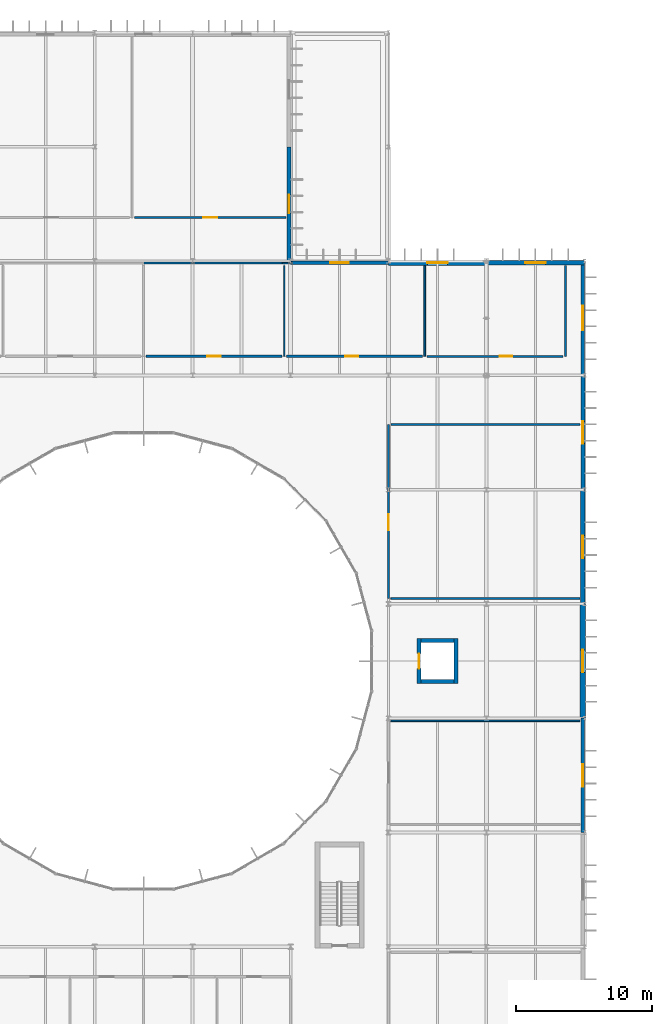
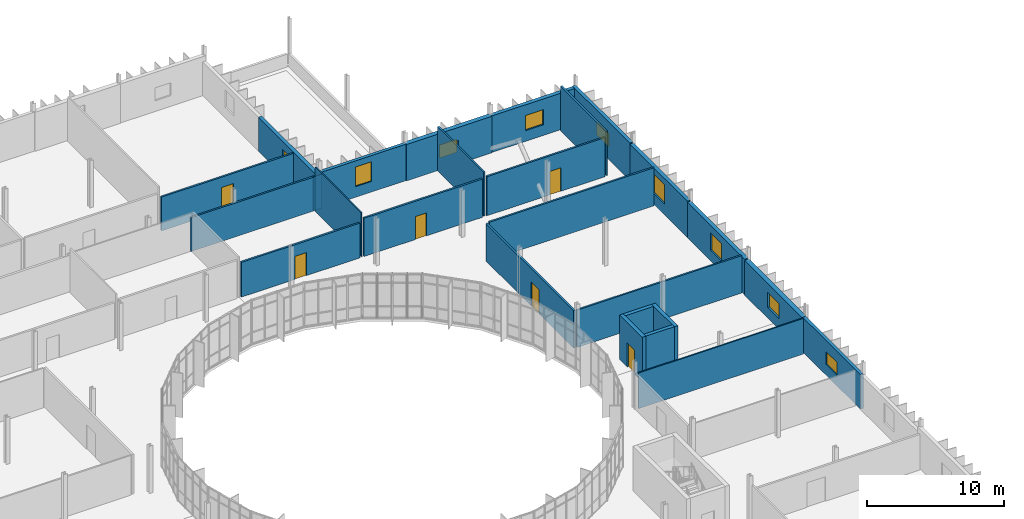
# One storey, part 101 of 119: 26 walls, 9 windows, 6 doors, 15 openings.
"""IFC4 building model written with IfcOpenShell, lengths in metres."""

from ifc_helpers import new_model, si_unit, direction, frame, frame_2d, origin, place, context, subcontext, project, spatial, rectangle, extrude, material, layer, layer_set, type_object, element, fill, save


model = new_model("IFC4")

# Units and contexts
model_context = context("Model", 3, precision=1e-05, world=origin(), true_north=direction((0.0, 1.0)))
body_context = subcontext(model_context, "Body", "Model", "MODEL_VIEW")
ifc_project = project(units=[si_unit("LENGTHUNIT", "METRE"), si_unit("AREAUNIT", "SQUARE_METRE"), si_unit("VOLUMEUNIT", "CUBIC_METRE"), si_unit("PLANEANGLEUNIT", "RADIAN"), si_unit("MASSUNIT", "GRAM", prefix="KILO")], contexts=[model_context])

# Site, building, storey
site_placement = place(None, origin())
site = spatial("IfcSite", under=ifc_project, at=site_placement, CompositionType="ELEMENT")
building_placement = place(site_placement, origin())
building = spatial("IfcBuilding", under=site, at=building_placement, Name="Qelthora Terrace Specialist Clinic", CompositionType="ELEMENT")
storey_placement = place(building_placement, frame((0.0, 0.0, 4.800048828125)))
storey = spatial("IfcBuildingStorey", under=building, at=storey_placement, Name="L01", CompositionType="ELEMENT", Elevation=4.800048828125)

# Wall, opening, door
ifc_material_1 = material(Name="Concrete C40/50", Category="concrete")
ifc_layer_1 = layer(ifc_material_1, 0.300048828125)
ifc_layer_set_1 = layer_set([ifc_layer_1], Name="Concrete C40/50")
wall_type_1 = type_object("IfcWallType", Name="WAL-CORE-300-C40", PredefinedType="SHEAR", material=ifc_layer_set_1)
wall_1_placement = place(storey_placement, frame((146.25, 61.35009765625, 0.0), z_axis=(0.0, 0.0, 1.0), x_axis=(0.0, 1.0, 0.0)))
wall_1 = element("IfcWall", 1, at=wall_1_placement, inside=storey, type_object=wall_type_1, Name="Lift PL-02 L01 west shaft wall", PredefinedType="SHEAR", context=body_context, shape_type="SweptSolid", body=[
    extrude(rectangle(XDim=3.2998046875, YDim=0.300048828125, at=frame_2d((1.64990234375, 0.0))), origin(), (0.0, 0.0, 1.0), 3.97998046875),
])
opening_1_placement = place(wall_1_placement, frame((1.10009765625, 0.0, 0.0)))
opening_1 = element("IfcOpeningElement", 2, at=opening_1_placement, cuts=wall_1, Name="Opening LD-PL-02-L01", PredefinedType="OPENING", context=body_context, shape_type="SweptSolid", body=[
    extrude(rectangle(XDim=1.10009765625, YDim=2.14990234375, at=frame_2d((0.550048828125, 1.074951171875))), frame((0.0, 0.159912109375, 0.0), z_axis=(0.0, -1.0, 0.0), x_axis=(1.0, 0.0, 0.0)), (0.0, 0.0, 1.0), 0.320068359375),
])
ifc_material_2 = material(Name="Steel S355", Category="steel")
door_type_1 = type_object("IfcDoorType", Name="DOR-LIFT-1100X2150", OperationType="NOTDEFINED", PredefinedType="DOOR", material=ifc_material_2)
door_1_placement = place(opening_1_placement, origin())
door_1 = element("IfcDoor", 3, at=door_1_placement, inside=storey, type_object=door_type_1, Name="Lift landing sliding door LD-PL-02-L01", OperationType="DOUBLE_DOOR_SLIDING", OverallHeight=2.14990234375, OverallWidth=1.10009765625, PredefinedType="DOOR", context=body_context, shape_type="SweptSolid", body=[
    extrude(rectangle(XDim=1.10009765625, YDim=2.14990234375, at=frame_2d((0.550048828125, 1.074951171875))), frame((0.0, 0.02490234375, 0.0), z_axis=(0.0, -1.0, 0.0), x_axis=(1.0, 0.0, 0.0)), (0.0, 0.0, 1.0), 0.050048828125),
])
fill(opening_1, door_1)

# Walls
wall_2_placement = place(storey_placement, frame((148.949951171875, 61.35009765625, 0.0), z_axis=(0.0, 0.0, 1.0), x_axis=(0.0, 1.0, 0.0)))
element("IfcWall", 4, at=wall_2_placement, inside=storey, type_object=wall_type_1, Name="Lift PL-02 L01 east shaft wall", PredefinedType="SHEAR", context=body_context, shape_type="SweptSolid", body=[
    extrude(rectangle(XDim=3.2998046875, YDim=0.300048828125, at=frame_2d((1.64990234375, 0.0))), origin(), (0.0, 0.0, 1.0), 3.97998046875),
])
for number, where, z_axis, x_axis, name in (
    (5, (146.39990234375, 64.5, 0.0), (0.0, 0.0, 1.0), (1.0, 0.0, 0.0), "Lift PL-02 L01 north shaft wall"),
    (6, (146.39990234375, 61.5, 0.0), (0.0, 0.0, 1.0), (1.0, 0.0, 0.0), "Lift PL-02 L01 south shaft wall"),
):
    element("IfcWall", number, at=place(storey_placement, frame(where, z_axis=z_axis, x_axis=x_axis)), inside=storey, type_object=wall_type_1, Name=name, PredefinedType="SHEAR", context=body_context, shape_type="SweptSolid", body=[
        extrude(rectangle(XDim=2.400146484375, YDim=0.300048828125, at=frame_2d((1.2001953125, 0.0))), origin(), (0.0, 0.0, 1.0), 3.97998046875),
    ])

# Wall, opening, window
ifc_material_3 = material(Name="Precast concrete C40/50", Category="concrete")
ifc_layer_2 = layer(ifc_material_3, 0.260009765625)
ifc_layer_set_2 = layer_set([ifc_layer_2], Name="Precast concrete C40/50")
wall_type_2 = type_object("IfcWallType", Name="WAL-EXT-260-PC40", PredefinedType="SOLIDWALL", material=ifc_layer_set_2)
wall_3_placement = place(storey_placement, frame((136.800048828125, 92.280029296875, 0.0), z_axis=(0.0, 0.0, 1.0), x_axis=(1.0, 0.0, 0.0)))
wall_3 = element("IfcWall", 7, at=wall_3_placement, inside=storey, type_object=wall_type_2, Name="L01 external precast wall 169", PredefinedType="SOLIDWALL", context=body_context, shape_type="SweptSolid", body=[
    extrude(rectangle(XDim=7.199951171875, YDim=0.260009765625, at=frame_2d((3.60009765625, 0.0))), origin(), (0.0, 0.0, 1.0), 3.2490234375),
])
opening_2_placement = place(wall_3_placement, frame((2.925048828125, 0.0, 0.949951171875)))
opening_2 = element("IfcOpeningElement", 8, at=opening_2_placement, cuts=wall_3, Name="Opening WN-L01-140", PredefinedType="OPENING", context=body_context, shape_type="SweptSolid", body=[
    extrude(rectangle(XDim=1.35009765625, YDim=1.75, at=frame_2d((0.675048828125, 0.875))), frame((0.0, 0.139892578125, 0.0), z_axis=(0.0, -1.0, 0.0), x_axis=(1.0, 0.0, 0.0)), (0.0, 0.0, 1.0), 0.280029296875),
])
ifc_material_4 = material(Name="Low-E triple-silver insulating glass", Category="glass")
window_type_1 = type_object("IfcWindowType", Name="WIN-1350X1750", PartitioningType="SINGLE_PANEL", PredefinedType="WINDOW", material=ifc_material_4)
window_1_placement = place(opening_2_placement, origin())
window_1 = element("IfcWindow", 9, at=window_1_placement, inside=storey, type_object=window_type_1, Name="Clinical window WN-L01-140", OverallHeight=1.75, OverallWidth=1.35009765625, PartitioningType="SINGLE_PANEL", PredefinedType="WINDOW", context=body_context, shape_type="SweptSolid", body=[
    extrude(rectangle(XDim=1.35009765625, YDim=1.75, at=frame_2d((0.675048828125, 0.875))), frame((0.0, 0.030029296875, 0.0), z_axis=(0.0, -1.0, 0.0), x_axis=(1.0, 0.0, 0.0)), (0.0, 0.0, 1.0), 0.06005859375),
])
fill(opening_2, window_1)

wall_4_placement = place(storey_placement, frame((158.280029296875, 50.39990234375, 0.0), z_axis=(0.0, 0.0, 1.0), x_axis=(0.0, 1.0, 0.0)))
wall_4 = element("IfcWall", 10, at=wall_4_placement, inside=storey, type_object=wall_type_2, Name="L01 external precast wall 174", PredefinedType="SOLIDWALL", context=body_context, shape_type="SweptSolid", body=[
    extrude(rectangle(XDim=8.400146484375, YDim=0.260009765625, at=frame_2d((4.2001953125, 0.0))), origin(), (0.0, 0.0, 1.0), 3.091064453125),
])
opening_3_placement = place(wall_4_placement, frame((3.375, 0.0, 0.949951171875)))
opening_3 = element("IfcOpeningElement", 11, at=opening_3_placement, cuts=wall_4, Name="Opening WN-L01-145", PredefinedType="OPENING", context=body_context, shape_type="SweptSolid", body=[
    extrude(rectangle(XDim=1.64990234375, YDim=1.14990234375, at=frame_2d((0.824951171875, 0.574951171875))), frame((0.0, 0.139892578125, 0.0), z_axis=(0.0, -1.0, 0.0), x_axis=(1.0, 0.0, 0.0)), (0.0, 0.0, 1.0), 0.280029296875),
])
window_type_2 = type_object("IfcWindowType", Name="WIN-1650X1150", PartitioningType="DOUBLE_PANEL_VERTICAL", PredefinedType="WINDOW", material=ifc_material_4)
window_2_placement = place(opening_3_placement, origin())
window_2 = element("IfcWindow", 12, at=window_2_placement, inside=storey, type_object=window_type_2, Name="Clinical window WN-L01-145", OverallHeight=1.14990234375, OverallWidth=1.64990234375, PartitioningType="SINGLE_PANEL", PredefinedType="WINDOW", context=body_context, shape_type="SweptSolid", body=[
    extrude(rectangle(XDim=1.64990234375, YDim=1.14990234375, at=frame_2d((0.824951171875, 0.574951171875))), frame((0.0, 0.030029296875, 0.0), z_axis=(0.0, -1.0, 0.0), x_axis=(1.0, 0.0, 0.0)), (0.0, 0.0, 1.0), 0.06005859375),
])
fill(opening_3, window_2)

ifc_layer_3 = layer(ifc_material_3, 0.280029296875)
ifc_layer_set_3 = layer_set([ifc_layer_3], Name="Precast concrete C40/50")
wall_type_3 = type_object("IfcWallType", Name="WAL-EXT-280-PC40", PredefinedType="SOLIDWALL", material=ifc_layer_set_3)
wall_5_placement = place(storey_placement, frame((158.280029296875, 84.0, 0.0), z_axis=(0.0, 0.0, 1.0), x_axis=(0.0, 1.0, 0.0)))
wall_5 = element("IfcWall", 13, at=wall_5_placement, inside=storey, type_object=wall_type_3, Name="L01 external precast wall 178", PredefinedType="SOLIDWALL", context=body_context, shape_type="SweptSolid", body=[
    extrude(rectangle(XDim=8.39990234375, YDim=0.280029296875, at=frame_2d((4.199951171875, 0.0))), origin(), (0.0, 0.0, 1.0), 3.324951171875),
])
opening_4_placement = place(wall_5_placement, frame((3.300048828125, 0.0, 0.949951171875)))
opening_4 = element("IfcOpeningElement", 14, at=opening_4_placement, cuts=wall_5, Name="Opening WN-L01-149", PredefinedType="OPENING", context=body_context, shape_type="SweptSolid", body=[
    extrude(rectangle(XDim=1.800048828125, YDim=1.14990234375, at=frame_2d((0.89990234375, 0.574951171875))), frame((0.0, 0.14990234375, 0.0), z_axis=(0.0, -1.0, 0.0), x_axis=(1.0, 0.0, 0.0)), (0.0, 0.0, 1.0), 0.300048828125),
])
window_type_3 = type_object("IfcWindowType", Name="WIN-1800X1150", PartitioningType="DOUBLE_PANEL_VERTICAL", PredefinedType="WINDOW", material=ifc_material_4)
window_3_placement = place(opening_4_placement, origin())
window_3 = element("IfcWindow", 15, at=window_3_placement, inside=storey, type_object=window_type_3, Name="Clinical window WN-L01-149", OverallHeight=1.14990234375, OverallWidth=1.800048828125, PartitioningType="SINGLE_PANEL", PredefinedType="WINDOW", context=body_context, shape_type="SweptSolid", body=[
    extrude(rectangle(XDim=1.800048828125, YDim=1.14990234375, at=frame_2d((0.89990234375, 0.574951171875))), frame((0.0, 0.030029296875, 0.0), z_axis=(0.0, -1.0, 0.0), x_axis=(1.0, 0.0, 0.0)), (0.0, 0.0, 1.0), 0.06005859375),
])
fill(opening_4, window_3)

ifc_layer_4 = layer(ifc_material_3, 0.300048828125)
ifc_layer_set_4 = layer_set([ifc_layer_4], Name="Precast concrete C40/50")
wall_type_4 = type_object("IfcWallType", Name="WAL-EXT-300-PC40", PredefinedType="SOLIDWALL", material=ifc_layer_set_4)
wall_6_placement = place(storey_placement, frame((136.679931640625, 92.39990234375, 0.0), z_axis=(0.0, 0.0, 1.0), x_axis=(0.0, 1.0, 0.0)))
wall_6 = element("IfcWall", 16, at=wall_6_placement, inside=storey, type_object=wall_type_4, Name="L01 external precast wall 167", PredefinedType="SOLIDWALL", context=body_context, shape_type="SweptSolid", body=[
    extrude(rectangle(XDim=8.400146484375, YDim=0.300048828125, at=frame_2d((4.2001953125, 0.0))), origin(), (0.0, 0.0, 1.0), 3.014892578125),
])
opening_5_placement = place(wall_6_placement, frame((3.52490234375, 0.0, 0.949951171875)))
opening_5 = element("IfcOpeningElement", 17, at=opening_5_placement, cuts=wall_6, Name="Opening WN-L01-138", PredefinedType="OPENING", context=body_context, shape_type="SweptSolid", body=[
    extrude(rectangle(XDim=1.35009765625, YDim=1.35009765625, at=frame_2d((0.675048828125, 0.675048828125))), frame((0.0, 0.159912109375, 0.0), z_axis=(0.0, -1.0, 0.0), x_axis=(1.0, 0.0, 0.0)), (0.0, 0.0, 1.0), 0.320068359375),
])
window_type_4 = type_object("IfcWindowType", Name="WIN-1350X1350", PartitioningType="SINGLE_PANEL", PredefinedType="WINDOW", material=ifc_material_4)
window_4_placement = place(opening_5_placement, origin())
window_4 = element("IfcWindow", 18, at=window_4_placement, inside=storey, type_object=window_type_4, Name="Clinical window WN-L01-138", OverallHeight=1.35009765625, OverallWidth=1.35009765625, PartitioningType="SINGLE_PANEL", PredefinedType="WINDOW", context=body_context, shape_type="SweptSolid", body=[
    extrude(rectangle(XDim=1.35009765625, YDim=1.35009765625, at=frame_2d((0.675048828125, 0.675048828125))), frame((0.0, 0.030029296875, 0.0), z_axis=(0.0, -1.0, 0.0), x_axis=(1.0, 0.0, 0.0)), (0.0, 0.0, 1.0), 0.06005859375),
])
fill(opening_5, window_4)

wall_7_placement = place(storey_placement, frame((158.280029296875, 75.60009765625, 0.0), z_axis=(0.0, 0.0, 1.0), x_axis=(0.0, 1.0, 0.0)))
wall_7 = element("IfcWall", 19, at=wall_7_placement, inside=storey, type_object=wall_type_4, Name="L01 external precast wall 177", PredefinedType="SOLIDWALL", context=body_context, shape_type="SweptSolid", body=[
    extrude(rectangle(XDim=8.39990234375, YDim=0.300048828125, at=frame_2d((4.199951171875, 0.0))), origin(), (0.0, 0.0, 1.0), 3.2490234375),
])
opening_6_placement = place(wall_7_placement, frame((3.375, 0.0, 0.949951171875)))
opening_6 = element("IfcOpeningElement", 20, at=opening_6_placement, cuts=wall_7, Name="Opening WN-L01-148", PredefinedType="OPENING", context=body_context, shape_type="SweptSolid", body=[
    extrude(rectangle(XDim=1.64990234375, YDim=1.75, at=frame_2d((0.824951171875, 0.875))), frame((0.0, 0.159912109375, 0.0), z_axis=(0.0, -1.0, 0.0), x_axis=(1.0, 0.0, 0.0)), (0.0, 0.0, 1.0), 0.320068359375),
])
window_type_5 = type_object("IfcWindowType", Name="WIN-1650X1750", PartitioningType="DOUBLE_PANEL_VERTICAL", PredefinedType="WINDOW", material=ifc_material_4)
window_5_placement = place(opening_6_placement, origin())
window_5 = element("IfcWindow", 21, at=window_5_placement, inside=storey, type_object=window_type_5, Name="Clinical window WN-L01-148", OverallHeight=1.75, OverallWidth=1.64990234375, PartitioningType="SINGLE_PANEL", PredefinedType="WINDOW", context=body_context, shape_type="SweptSolid", body=[
    extrude(rectangle(XDim=1.64990234375, YDim=1.75, at=frame_2d((0.824951171875, 0.875))), frame((0.0, 0.030029296875, 0.0), z_axis=(0.0, -1.0, 0.0), x_axis=(1.0, 0.0, 0.0)), (0.0, 0.0, 1.0), 0.06005859375),
])
fill(opening_6, window_5)

ifc_layer_5 = layer(ifc_material_3, 0.320068359375)
ifc_layer_set_5 = layer_set([ifc_layer_5], Name="Precast concrete C40/50")
wall_type_5 = type_object("IfcWallType", Name="WAL-EXT-320-PC40", PredefinedType="SOLIDWALL", material=ifc_layer_set_5)
wall_8_placement = place(storey_placement, frame((151.199951171875, 92.280029296875, 0.0), z_axis=(0.0, 0.0, 1.0), x_axis=(1.0, 0.0, 0.0)))
wall_8 = element("IfcWall", 22, at=wall_8_placement, inside=storey, type_object=wall_type_5, Name="L01 external precast wall 171", PredefinedType="SOLIDWALL", context=body_context, shape_type="SweptSolid", body=[
    extrude(rectangle(XDim=7.199951171875, YDim=0.320068359375, at=frame_2d((3.60009765625, 0.0))), origin(), (0.0, 0.0, 1.0), 3.25390625),
])
opening_7_placement = place(wall_8_placement, frame((2.85009765625, 0.0, 0.949951171875)))
opening_7 = element("IfcOpeningElement", 23, at=opening_7_placement, cuts=wall_8, Name="Opening WN-L01-142", PredefinedType="OPENING", context=body_context, shape_type="SweptSolid", body=[
    extrude(rectangle(XDim=1.5, YDim=1.35009765625, at=frame_2d((0.75, 0.675048828125))), frame((0.0, 0.169921875, 0.0), z_axis=(0.0, -1.0, 0.0), x_axis=(1.0, 0.0, 0.0)), (0.0, 0.0, 1.0), 0.340087890625),
])
window_type_6 = type_object("IfcWindowType", Name="WIN-1500X1350", PartitioningType="SINGLE_PANEL", PredefinedType="WINDOW", material=ifc_material_4)
window_6_placement = place(opening_7_placement, origin())
window_6 = element("IfcWindow", 24, at=window_6_placement, inside=storey, type_object=window_type_6, Name="Clinical window WN-L01-142", OverallHeight=1.35009765625, OverallWidth=1.5, PartitioningType="SINGLE_PANEL", PredefinedType="WINDOW", context=body_context, shape_type="SweptSolid", body=[
    extrude(rectangle(XDim=1.5, YDim=1.35009765625, at=frame_2d((0.75, 0.675048828125))), frame((0.0, 0.030029296875, 0.0), z_axis=(0.0, -1.0, 0.0), x_axis=(1.0, 0.0, 0.0)), (0.0, 0.0, 1.0), 0.06005859375),
])
fill(opening_7, window_6)

wall_9_placement = place(storey_placement, frame((158.280029296875, 67.199951171875, 0.0), z_axis=(0.0, 0.0, 1.0), x_axis=(0.0, 1.0, 0.0)))
wall_9 = element("IfcWall", 25, at=wall_9_placement, inside=storey, type_object=wall_type_5, Name="L01 external precast wall 176", PredefinedType="SOLIDWALL", context=body_context, shape_type="SweptSolid", body=[
    extrude(rectangle(XDim=8.400146484375, YDim=0.320068359375, at=frame_2d((4.2001953125, 0.0))), origin(), (0.0, 0.0, 1.0), 3.171875),
])
opening_8_placement = place(wall_9_placement, frame((3.375, 0.0, 0.949951171875)))
opening_8 = element("IfcOpeningElement", 26, at=opening_8_placement, cuts=wall_9, Name="Opening WN-L01-147", PredefinedType="OPENING", context=body_context, shape_type="SweptSolid", body=[
    extrude(rectangle(XDim=1.64990234375, YDim=1.550048828125, at=frame_2d((0.824951171875, 0.77490234375))), frame((0.0, 0.169921875, 0.0), z_axis=(0.0, -1.0, 0.0), x_axis=(1.0, 0.0, 0.0)), (0.0, 0.0, 1.0), 0.340087890625),
])
window_type_7 = type_object("IfcWindowType", Name="WIN-1650X1550", PartitioningType="DOUBLE_PANEL_VERTICAL", PredefinedType="WINDOW", material=ifc_material_4)
window_7_placement = place(opening_8_placement, origin())
window_7 = element("IfcWindow", 27, at=window_7_placement, inside=storey, type_object=window_type_7, Name="Clinical window WN-L01-147", OverallHeight=1.550048828125, OverallWidth=1.64990234375, PartitioningType="SINGLE_PANEL", PredefinedType="WINDOW", context=body_context, shape_type="SweptSolid", body=[
    extrude(rectangle(XDim=1.64990234375, YDim=1.550048828125, at=frame_2d((0.824951171875, 0.77490234375))), frame((0.0, 0.030029296875, 0.0), z_axis=(0.0, -1.0, 0.0), x_axis=(1.0, 0.0, 0.0)), (0.0, 0.0, 1.0), 0.06005859375),
])
fill(opening_8, window_7)

ifc_layer_6 = layer(ifc_material_3, 0.3798828125)
ifc_layer_set_6 = layer_set([ifc_layer_6], Name="Precast concrete C40/50")
wall_type_6 = type_object("IfcWallType", Name="WAL-EXT-380-PC40", PredefinedType="SOLIDWALL", material=ifc_layer_set_6)
wall_10_placement = place(storey_placement, frame((144.0, 92.280029296875, 0.0), z_axis=(0.0, 0.0, 1.0), x_axis=(1.0, 0.0, 0.0)))
wall_10 = element("IfcWall", 28, at=wall_10_placement, inside=storey, type_object=wall_type_6, Name="L01 external precast wall 170", PredefinedType="SOLIDWALL", context=body_context, shape_type="SweptSolid", body=[
    extrude(rectangle(XDim=7.199951171875, YDim=0.3798828125, at=frame_2d((3.60009765625, 0.0))), origin(), (0.0, 0.0, 1.0), 3.2490234375),
])
opening_9_placement = place(wall_10_placement, frame((2.85009765625, 0.0, 0.949951171875)))
opening_9 = element("IfcOpeningElement", 29, at=opening_9_placement, cuts=wall_10, Name="Opening WN-L01-141", PredefinedType="OPENING", context=body_context, shape_type="SweptSolid", body=[
    extrude(rectangle(XDim=1.5, YDim=1.14990234375, at=frame_2d((0.75, 0.574951171875))), frame((0.0, 0.199951171875, 0.0), z_axis=(0.0, -1.0, 0.0), x_axis=(1.0, 0.0, 0.0)), (0.0, 0.0, 1.0), 0.39990234375),
])
window_type_8 = type_object("IfcWindowType", Name="WIN-1500X1150", PartitioningType="SINGLE_PANEL", PredefinedType="WINDOW", material=ifc_material_4)
window_8_placement = place(opening_9_placement, origin())
window_8 = element("IfcWindow", 30, at=window_8_placement, inside=storey, type_object=window_type_8, Name="Clinical window WN-L01-141", OverallHeight=1.14990234375, OverallWidth=1.5, PartitioningType="SINGLE_PANEL", PredefinedType="WINDOW", context=body_context, shape_type="SweptSolid", body=[
    extrude(rectangle(XDim=1.5, YDim=1.14990234375, at=frame_2d((0.75, 0.574951171875))), frame((0.0, 0.030029296875, 0.0), z_axis=(0.0, -1.0, 0.0), x_axis=(1.0, 0.0, 0.0)), (0.0, 0.0, 1.0), 0.06005859375),
])
fill(opening_9, window_8)

wall_11_placement = place(storey_placement, frame((158.280029296875, 58.800048828125, 0.0), z_axis=(0.0, 0.0, 1.0), x_axis=(0.0, 1.0, 0.0)))
wall_11 = element("IfcWall", 31, at=wall_11_placement, inside=storey, type_object=wall_type_6, Name="L01 external precast wall 175", PredefinedType="SOLIDWALL", context=body_context, shape_type="SweptSolid", body=[
    extrude(rectangle(XDim=8.39990234375, YDim=0.3798828125, at=frame_2d((4.199951171875, 0.0))), origin(), (0.0, 0.0, 1.0), 3.091064453125),
])
opening_10_placement = place(wall_11_placement, frame((3.375, 0.0, 0.949951171875)))
opening_10 = element("IfcOpeningElement", 32, at=opening_10_placement, cuts=wall_11, Name="Opening WN-L01-146", PredefinedType="OPENING", context=body_context, shape_type="SweptSolid", body=[
    extrude(rectangle(XDim=1.64990234375, YDim=1.35009765625, at=frame_2d((0.824951171875, 0.675048828125))), frame((0.0, 0.199951171875, 0.0), z_axis=(0.0, -1.0, 0.0), x_axis=(1.0, 0.0, 0.0)), (0.0, 0.0, 1.0), 0.39990234375),
])
window_type_9 = type_object("IfcWindowType", Name="WIN-1650X1350", PartitioningType="DOUBLE_PANEL_VERTICAL", PredefinedType="WINDOW", material=ifc_material_4)
window_9_placement = place(opening_10_placement, origin())
window_9 = element("IfcWindow", 33, at=window_9_placement, inside=storey, type_object=window_type_9, Name="Clinical window WN-L01-146", OverallHeight=1.35009765625, OverallWidth=1.64990234375, PartitioningType="SINGLE_PANEL", PredefinedType="WINDOW", context=body_context, shape_type="SweptSolid", body=[
    extrude(rectangle(XDim=1.64990234375, YDim=1.35009765625, at=frame_2d((0.824951171875, 0.675048828125))), frame((0.0, 0.030029296875, 0.0), z_axis=(0.0, -1.0, 0.0), x_axis=(1.0, 0.0, 0.0)), (0.0, 0.0, 1.0), 0.06005859375),
])
fill(opening_10, window_9)

# Walls
ifc_material_5 = material(Name="Gypsum acoustic wallboard", Category="gypsum")
ifc_layer_7 = layer(ifc_material_5, 0.139892578125)
ifc_layer_set_7 = layer_set([ifc_layer_7], Name="Gypsum acoustic wallboard")
wall_type_7 = type_object("IfcWallType", Name="WAL-INT-ACU-140", PredefinedType="PARTITIONING", material=ifc_layer_set_7)
wall_12_placement = place(storey_placement, frame((146.666748046875, 92.06005859375, 0.0), z_axis=(0.0, 0.0, 1.0), x_axis=(0.0, -1.0, 0.0)))
element("IfcWall", 34, at=wall_12_placement, inside=storey, type_object=wall_type_7, Name="Interior clinical partition IWAL-L01-0204", PredefinedType="PARTITIONING", context=body_context, shape_type="SweptSolid", body=[
    extrude(rectangle(XDim=6.66015625, YDim=0.139892578125, at=frame_2d((3.330078125, 0.0))), origin(), (0.0, 0.0, 1.0), 3.945068359375),
])
wall_13_placement = place(storey_placement, frame((158.06005859375, 67.60009765625, 0.0), z_axis=(0.0, 0.0, 1.0), x_axis=(-1.0, 0.0, 0.0)))
element("IfcWall", 35, at=wall_13_placement, inside=storey, type_object=wall_type_7, Name="Interior clinical partition IWAL-L01-0219", PredefinedType="PARTITIONING", context=body_context, shape_type="SweptSolid", body=[
    extrude(rectangle(XDim=13.880126953125, YDim=0.139892578125, at=frame_2d((6.93994140625, 0.0))), origin(), (0.0, 0.0, 1.0), 3.327880859375),
])

# Wall, opening, door
ifc_material_6 = material(Name="Gypsum fire-rated wallboard", Category="gypsum")
ifc_layer_8 = layer(ifc_material_6, 0.159912109375)
ifc_layer_set_8 = layer_set([ifc_layer_8], Name="Gypsum fire-rated wallboard")
wall_type_8 = type_object("IfcWallType", Name="WAL-INT-COR-160", PredefinedType="PARTITIONING", material=ifc_layer_set_8)
wall_14_placement = place(storey_placement, frame((136.1533203125, 85.39990234375, 0.0), z_axis=(0.0, 0.0, 1.0), x_axis=(-1.0, 0.0, 0.0)))
wall_14 = element("IfcWall", 36, at=wall_14_placement, inside=storey, type_object=wall_type_8, Name="Interior clinical partition IWAL-L01-0202", PredefinedType="PARTITIONING", context=body_context, shape_type="SweptSolid", body=[
    extrude(rectangle(XDim=9.973388671875, YDim=0.159912109375, at=frame_2d((4.98681640625, 0.0))), origin(), (0.0, 0.0, 1.0), 3.093994140625),
])
opening_11_placement = place(wall_14_placement, frame((4.49658203125, 0.0, 0.0)))
opening_11 = element("IfcOpeningElement", 37, at=opening_11_placement, cuts=wall_14, Name="Opening DI-L01-0081", PredefinedType="OPENING", context=body_context, shape_type="SweptSolid", body=[
    extrude(rectangle(XDim=0.97998046875, YDim=2.050048828125, at=frame_2d((0.489990234375, 1.02490234375))), frame((0.0, 0.08984375, 0.0), z_axis=(0.0, -1.0, 0.0), x_axis=(1.0, 0.0, 0.0)), (0.0, 0.0, 1.0), 0.179931640625),
])
ifc_material_7 = material(Name="Glulam timber GL28h", Category="wood")
door_type_2 = type_object("IfcDoorType", Name="DOR-CON-980X2050", OperationType="NOTDEFINED", PredefinedType="DOOR", material=ifc_material_7)
door_2_placement = place(opening_11_placement, frame((0.97998046875, 0.0, 0.0), z_axis=(0.0, 0.0, 1.0), x_axis=(-1.0, 0.0, 0.0)))
door_2 = element("IfcDoor", 38, at=door_2_placement, inside=storey, type_object=door_type_2, Name="Interior clinical door DI-L01-0081", OperationType="SINGLE_SWING_RIGHT", OverallHeight=2.050048828125, OverallWidth=0.97998046875, PredefinedType="DOOR", context=body_context, shape_type="SweptSolid", body=[
    extrude(rectangle(XDim=0.97998046875, YDim=2.050048828125, at=frame_2d((0.489990234375, 1.02490234375))), frame((0.0, 0.02490234375, 0.0), z_axis=(0.0, -1.0, 0.0), x_axis=(1.0, 0.0, 0.0)), (0.0, 0.0, 1.0), 0.050048828125),
])
fill(opening_11, door_2)

wall_15_placement = place(storey_placement, frame((146.48681640625, 85.39990234375, 0.0), z_axis=(0.0, 0.0, 1.0), x_axis=(-1.0, 0.0, 0.0)))
wall_15 = element("IfcWall", 39, at=wall_15_placement, inside=storey, type_object=wall_type_8, Name="Interior clinical partition IWAL-L01-0205", PredefinedType="PARTITIONING", context=body_context, shape_type="SweptSolid", body=[
    extrude(rectangle(XDim=9.9736328125, YDim=0.159912109375, at=frame_2d((4.98681640625, 0.0))), origin(), (0.0, 0.0, 1.0), 3.407958984375),
])
opening_12_placement = place(wall_15_placement, frame((4.716796875, 0.0, 0.0)))
opening_12 = element("IfcOpeningElement", 40, at=opening_12_placement, cuts=wall_15, Name="Opening DI-L01-0082", PredefinedType="OPENING", context=body_context, shape_type="SweptSolid", body=[
    extrude(rectangle(XDim=0.93994140625, YDim=2.050048828125, at=frame_2d((0.469970703125, 1.02490234375))), frame((0.0, 0.08984375, 0.0), z_axis=(0.0, -1.0, 0.0), x_axis=(1.0, 0.0, 0.0)), (0.0, 0.0, 1.0), 0.179931640625),
])
door_type_3 = type_object("IfcDoorType", Name="DOR-CON-940X2050", OperationType="NOTDEFINED", PredefinedType="DOOR", material=ifc_material_7)
door_3_placement = place(opening_12_placement, frame((0.93994140625, 0.0, 0.0), z_axis=(0.0, 0.0, 1.0), x_axis=(-1.0, 0.0, 0.0)))
door_3 = element("IfcDoor", 41, at=door_3_placement, inside=storey, type_object=door_type_3, Name="Interior clinical door DI-L01-0082", OperationType="SINGLE_SWING_LEFT", OverallHeight=2.050048828125, OverallWidth=0.93994140625, PredefinedType="DOOR", context=body_context, shape_type="SweptSolid", body=[
    extrude(rectangle(XDim=0.93994140625, YDim=2.050048828125, at=frame_2d((0.469970703125, 1.02490234375))), frame((0.0, 0.02490234375, 0.0), z_axis=(0.0, -1.0, 0.0), x_axis=(1.0, 0.0, 0.0)), (0.0, 0.0, 1.0), 0.050048828125),
])
fill(opening_12, door_3)

wall_16_placement = place(storey_placement, frame((144.0, 67.60009765625, 0.0), z_axis=(0.0, 0.0, 1.0), x_axis=(0.0, 1.0, 0.0)))
wall_16 = element("IfcWall", 42, at=wall_16_placement, inside=storey, type_object=wall_type_8, Name="Interior clinical partition IWAL-L01-0217", PredefinedType="PARTITIONING", context=body_context, shape_type="SweptSolid", body=[
    extrude(rectangle(XDim=12.7998046875, YDim=0.159912109375, at=frame_2d((6.39990234375, 0.0))), origin(), (0.0, 0.0, 1.0), 3.327880859375),
])
opening_13_placement = place(wall_16_placement, frame((5.02490234375, 0.0, 0.0)))
opening_13 = element("IfcOpeningElement", 43, at=opening_13_placement, cuts=wall_16, Name="Opening DI-L01-0087", PredefinedType="OPENING", context=body_context, shape_type="SweptSolid", body=[
    extrude(rectangle(XDim=1.14990234375, YDim=2.14990234375, at=frame_2d((0.574951171875, 1.074951171875))), frame((0.0, 0.08984375, 0.0), z_axis=(0.0, -1.0, 0.0), x_axis=(1.0, 0.0, 0.0)), (0.0, 0.0, 1.0), 0.179931640625),
])
ifc_material_8 = material(Name="Aluminium anodized bronze", Category="aluminium")
door_type_4 = type_object("IfcDoorType", Name="DOR-CLN-1150X2150", OperationType="NOTDEFINED", PredefinedType="DOOR", material=ifc_material_8)
door_4_placement = place(opening_13_placement, frame((1.14990234375, 0.0, 0.0), z_axis=(0.0, 0.0, 1.0), x_axis=(-1.0, 0.0, 0.0)))
door_4 = element("IfcDoor", 44, at=door_4_placement, inside=storey, type_object=door_type_4, Name="Interior clinical door DI-L01-0087", OperationType="SINGLE_SWING_RIGHT", OverallHeight=2.14990234375, OverallWidth=1.14990234375, PredefinedType="DOOR", context=body_context, shape_type="SweptSolid", body=[
    extrude(rectangle(XDim=1.14990234375, YDim=2.14990234375, at=frame_2d((0.574951171875, 1.074951171875))), frame((0.0, 0.02490234375, 0.0), z_axis=(0.0, -1.0, 0.0), x_axis=(1.0, 0.0, 0.0)), (0.0, 0.0, 1.0), 0.050048828125),
])
fill(opening_13, door_4)

# Walls
ifc_layer_9 = layer(ifc_material_4, 0.110107421875)
ifc_layer_set_9 = layer_set([ifc_layer_9], Name="Low-E triple-silver insulating glass")
wall_type_9 = type_object("IfcWallType", Name="WAL-INT-GLA-110", PredefinedType="MOVABLE", material=ifc_layer_set_9)
wall_17_placement = place(storey_placement, frame((144.179931640625, 58.60009765625, 0.0), z_axis=(0.0, 0.0, 1.0), x_axis=(1.0, 0.0, 0.0)))
element("IfcWall", 45, at=wall_17_placement, inside=storey, type_object=wall_type_9, Name="Interior clinical partition IWAL-L01-0215", PredefinedType="MOVABLE", context=body_context, shape_type="SweptSolid", body=[
    extrude(rectangle(XDim=13.880126953125, YDim=0.110107421875, at=frame_2d((6.93994140625, 0.0))), origin(), (0.0, 0.0, 1.0), 3.175048828125),
])
ifc_layer_10 = layer(ifc_material_5, 0.10009765625)
ifc_layer_set_10 = layer_set([ifc_layer_10], Name="Gypsum acoustic wallboard")
wall_type_10 = type_object("IfcWallType", Name="WAL-INT-LGT-100", PredefinedType="PARTITIONING", material=ifc_layer_set_10)
wall_18_placement = place(storey_placement, frame((136.333251953125, 92.070068359375, 0.0), z_axis=(0.0, 0.0, 1.0), x_axis=(0.0, -1.0, 0.0)))
element("IfcWall", 46, at=wall_18_placement, inside=storey, type_object=wall_type_10, Name="Interior clinical partition IWAL-L01-0201", PredefinedType="PARTITIONING", context=body_context, shape_type="SweptSolid", body=[
    extrude(rectangle(XDim=6.670166015625, YDim=0.10009765625, at=frame_2d((3.3349609375, 0.0))), origin(), (0.0, 0.0, 1.0), 3.945068359375),
])
wall_19_placement = place(storey_placement, frame((136.1982421875, 92.25, 0.0), z_axis=(0.0, 0.0, 1.0), x_axis=(1.0, 0.0, 0.0)))
element("IfcWall", 47, at=wall_19_placement, inside=storey, type_object=wall_type_10, Name="Interior clinical partition IWAL-L01-0203", PredefinedType="PARTITIONING", context=body_context, shape_type="SweptSolid", body=[
    extrude(rectangle(XDim=0.74169921875, YDim=0.10009765625, at=frame_2d((0.370849609375, 0.0))), origin(), (0.0, 0.0, 1.0), 3.01806640625),
])
ifc_material_9 = material(Name="Gypsum moisture-resistant", Category="gypsum")
ifc_layer_11 = layer(ifc_material_9, 0.14990234375)
ifc_layer_set_11 = layer_set([ifc_layer_11], Name="Gypsum moisture-resistant")
wall_type_11 = type_object("IfcWallType", Name="WAL-INT-WET-150", PredefinedType="PLUMBINGWALL", material=ifc_layer_set_11)
wall_20_placement = place(storey_placement, frame((125.864990234375, 92.25, 0.0), z_axis=(0.0, 0.0, 1.0), x_axis=(1.0, 0.0, 0.0)))
element("IfcWall", 48, at=wall_20_placement, inside=storey, type_object=wall_type_11, Name="Interior clinical partition IWAL-L01-0200", PredefinedType="PLUMBINGWALL", context=body_context, shape_type="SweptSolid", body=[
    extrude(rectangle(XDim=10.46826171875, YDim=0.14990234375, at=frame_2d((5.234130859375, 0.0))), origin(), (0.0, 0.0, 1.0), 3.01806640625),
])
wall_21_placement = place(storey_placement, frame((157.0, 92.06005859375, 0.0), z_axis=(0.0, 0.0, 1.0), x_axis=(0.0, -1.0, 0.0)))
element("IfcWall", 49, at=wall_21_placement, inside=storey, type_object=wall_type_11, Name="Interior clinical partition IWAL-L01-0206", PredefinedType="PLUMBINGWALL", context=body_context, shape_type="SweptSolid", body=[
    extrude(rectangle(XDim=6.66015625, YDim=0.14990234375, at=frame_2d((3.330078125, 0.0))), origin(), (0.0, 0.0, 1.0), 3.945068359375),
])

# Wall, opening, door
wall_22_placement = place(storey_placement, frame((156.820068359375, 85.39990234375, 0.0), z_axis=(0.0, 0.0, 1.0), x_axis=(-1.0, 0.0, 0.0)))
wall_22 = element("IfcWall", 50, at=wall_22_placement, inside=storey, type_object=wall_type_11, Name="Interior clinical partition IWAL-L01-0207", PredefinedType="PLUMBINGWALL", context=body_context, shape_type="SweptSolid", body=[
    extrude(rectangle(XDim=9.973388671875, YDim=0.14990234375, at=frame_2d((4.98681640625, 0.0))), origin(), (0.0, 0.0, 1.0), 3.48486328125),
])
opening_14_placement = place(wall_22_placement, frame((3.736572265625, 0.0, 0.0)))
opening_14 = element("IfcOpeningElement", 51, at=opening_14_placement, cuts=wall_22, Name="Opening DI-L01-0083", PredefinedType="OPENING", context=body_context, shape_type="SweptSolid", body=[
    extrude(rectangle(XDim=0.89990234375, YDim=2.10009765625, at=frame_2d((0.449951171875, 1.050048828125))), frame((0.0, 0.0849609375, 0.0), z_axis=(0.0, -1.0, 0.0), x_axis=(1.0, 0.0, 0.0)), (0.0, 0.0, 1.0), 0.169921875),
])
door_type_5 = type_object("IfcDoorType", Name="DOR-WC-900X2100", OperationType="NOTDEFINED", PredefinedType="DOOR", material=ifc_material_7)
door_5_placement = place(opening_14_placement, frame((0.89990234375, 0.0, 0.0), z_axis=(0.0, 0.0, 1.0), x_axis=(-1.0, 0.0, 0.0)))
door_5 = element("IfcDoor", 52, at=door_5_placement, inside=storey, type_object=door_type_5, Name="Interior clinical door DI-L01-0083", OperationType="SINGLE_SWING_RIGHT", OverallHeight=2.10009765625, OverallWidth=0.89990234375, PredefinedType="DOOR", context=body_context, shape_type="SweptSolid", body=[
    extrude(rectangle(XDim=0.89990234375, YDim=2.10009765625, at=frame_2d((0.449951171875, 1.050048828125))), frame((0.0, 0.02490234375, 0.0), z_axis=(0.0, -1.0, 0.0), x_axis=(1.0, 0.0, 0.0)), (0.0, 0.0, 1.0), 0.050048828125),
])
fill(opening_14, door_5)

# Wall
wall_23_placement = place(storey_placement, frame((144.179931640625, 80.39990234375, 0.0), z_axis=(0.0, 0.0, 1.0), x_axis=(1.0, 0.0, 0.0)))
element("IfcWall", 53, at=wall_23_placement, inside=storey, type_object=wall_type_11, Name="Interior clinical partition IWAL-L01-0218", PredefinedType="PLUMBINGWALL", context=body_context, shape_type="SweptSolid", body=[
    extrude(rectangle(XDim=13.880126953125, YDim=0.14990234375, at=frame_2d((6.93994140625, 0.0))), origin(), (0.0, 0.0, 1.0), 3.40087890625),
])

# Wall, opening, door
wall_24_placement = place(storey_placement, frame((136.4599609375, 95.60009765625, 0.0), z_axis=(0.0, 0.0, 1.0), x_axis=(-1.0, 0.0, 0.0)))
wall_24 = element("IfcWall", 54, at=wall_24_placement, inside=storey, type_object=wall_type_11, Name="Interior clinical partition IWAL-L01-0242", PredefinedType="PLUMBINGWALL", context=body_context, shape_type="SweptSolid", body=[
    extrude(rectangle(XDim=11.119873046875, YDim=0.14990234375, at=frame_2d((5.56005859375, 0.0))), origin(), (0.0, 0.0, 1.0), 3.01806640625),
])
opening_15_placement = place(wall_24_placement, frame((5.06005859375, 0.0, 0.0)))
opening_15 = element("IfcOpeningElement", 55, at=opening_15_placement, cuts=wall_24, Name="Opening DI-L01-0096", PredefinedType="OPENING", context=body_context, shape_type="SweptSolid", body=[
    extrude(rectangle(XDim=1.0, YDim=2.10009765625, at=frame_2d((0.5, 1.050048828125))), frame((0.0, 0.0849609375, 0.0), z_axis=(0.0, -1.0, 0.0), x_axis=(1.0, 0.0, 0.0)), (0.0, 0.0, 1.0), 0.169921875),
])
door_type_6 = type_object("IfcDoorType", Name="DOR-AWC-1000X2100", OperationType="NOTDEFINED", PredefinedType="DOOR", material=ifc_material_7)
door_6_placement = place(opening_15_placement, frame((1.0, 0.0, 0.0), z_axis=(0.0, 0.0, 1.0), x_axis=(-1.0, 0.0, 0.0)))
door_6 = element("IfcDoor", 56, at=door_6_placement, inside=storey, type_object=door_type_6, Name="Interior clinical door DI-L01-0096", OperationType="SINGLE_SWING_LEFT", OverallHeight=2.10009765625, OverallWidth=1.0, PredefinedType="DOOR", context=body_context, shape_type="SweptSolid", body=[
    extrude(rectangle(XDim=1.0, YDim=2.10009765625, at=frame_2d((0.5, 1.050048828125))), frame((0.0, 0.02490234375, 0.0), z_axis=(0.0, -1.0, 0.0), x_axis=(1.0, 0.0, 0.0)), (0.0, 0.0, 1.0), 0.050048828125),
])
fill(opening_15, door_6)

save(model, "model.ifc")
